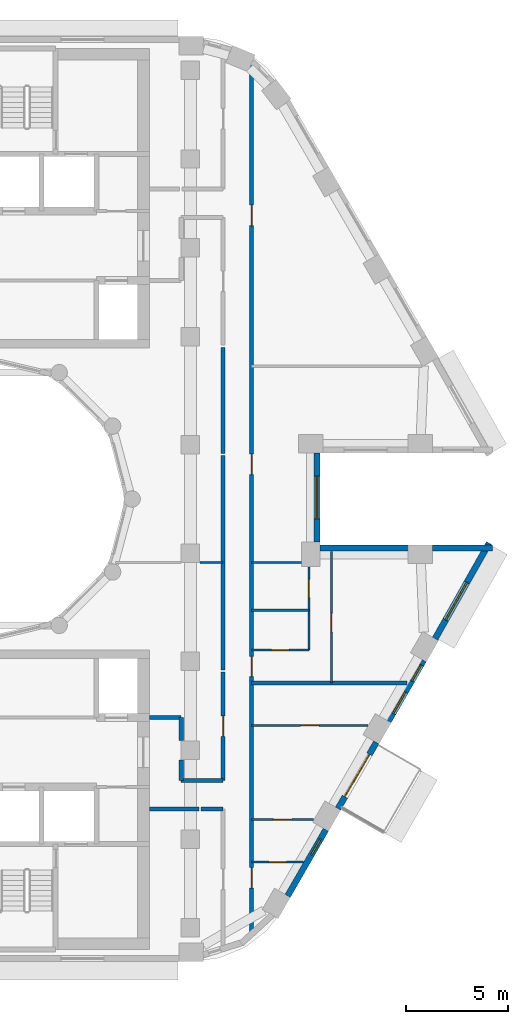
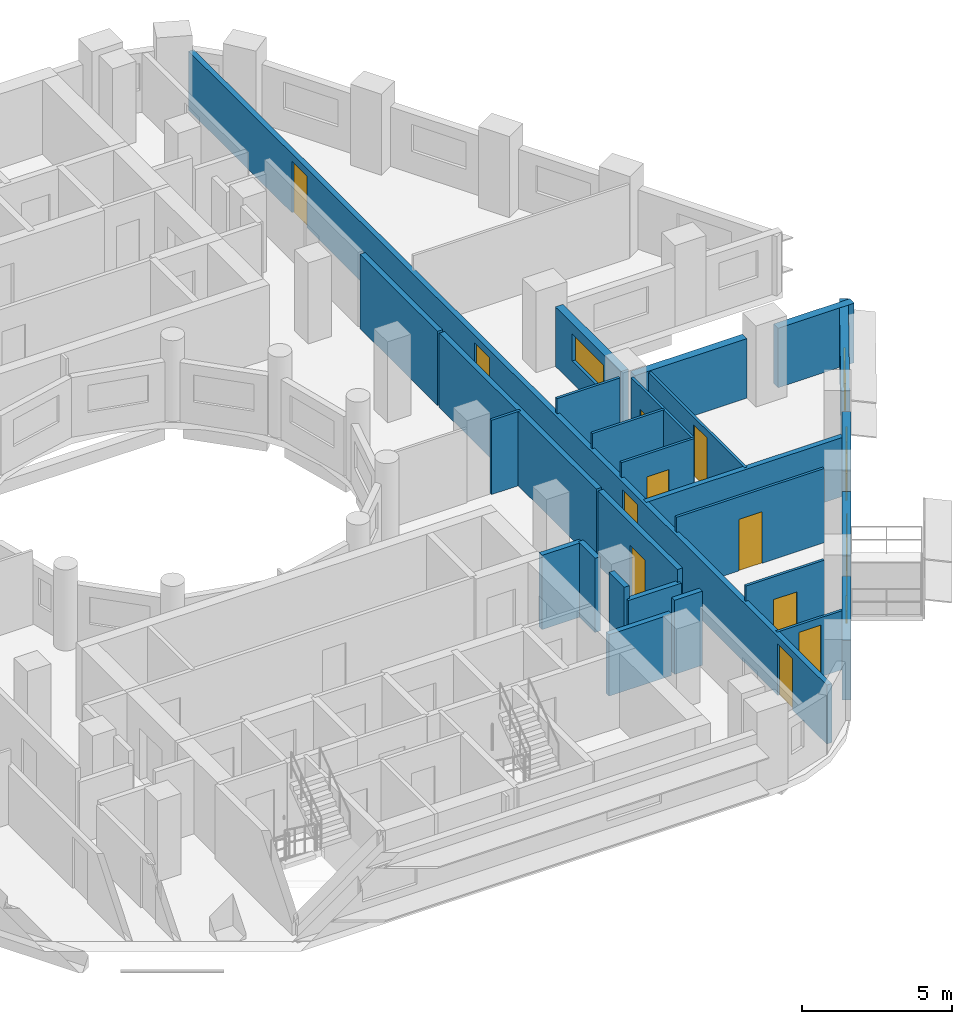
# One storey, part 6 of 15: 27 walls, 12 doors, 5 windows, 17 openings.
"""IFC4 building model written with IfcOpenShell, lengths in metres."""

from ifc_helpers import new_model, si_unit, direction, frame, frame_2d, origin, place, context, subcontext, project, spatial, rectangle, extrude, material, layer, layer_set, type_object, element, fill, save


model = new_model("IFC4")

# Units and contexts
model_context = context("Model", 3, precision=1e-05, world=origin(), true_north=direction((0.0, 1.0)))
body_context = subcontext(model_context, "Body", "Model", "MODEL_VIEW")
ifc_project = project(units=[si_unit("LENGTHUNIT", "METRE"), si_unit("AREAUNIT", "SQUARE_METRE"), si_unit("VOLUMEUNIT", "CUBIC_METRE"), si_unit("PLANEANGLEUNIT", "RADIAN"), si_unit("MASSUNIT", "GRAM", prefix="KILO")], contexts=[model_context])

# Site, building, storey
site_placement = place(None, origin())
site = spatial("IfcSite", under=ifc_project, at=site_placement, CompositionType="ELEMENT")
building_placement = place(site_placement, origin())
building = spatial("IfcBuilding", under=site, at=building_placement, Name="Nakaniwa Court", CompositionType="ELEMENT")
storey_placement = place(building_placement, frame((0.0, 0.0, 213.0)))
storey = spatial("IfcBuildingStorey", under=building, at=storey_placement, Name="L56", CompositionType="ELEMENT", Elevation=213.0)

# Wall, opening, door
ifc_material_1 = material(Name="Acoustic double stud partition")
ifc_layer_1 = layer(ifc_material_1, 0.199951171875)
ifc_layer_set_1 = layer_set([ifc_layer_1], Name="Acoustic double stud partition")
wall_type_1 = type_object("IfcWallType", Name="Acoustic double stud partition 200", PredefinedType="PARTITIONING", material=ifc_layer_set_1)
wall_1_placement = place(storey_placement, frame((91.60009765625, 66.22509765625, 0.0), z_axis=(0.0, 0.0, 1.0), x_axis=(0.0, 1.0, 0.0)))
wall_1 = element("IfcWall", 1, at=wall_1_placement, inside=storey, type_object=wall_type_1, Name="Partition PW-066", PredefinedType="PARTITIONING", context=body_context, shape_type="SweptSolid", body=[
    extrude(rectangle(XDim=5.297607421875, YDim=0.199951171875, at=frame_2d((2.64892578125, 0.0))), origin(), (0.0, 0.0, 1.0), 3.02490234375),
])
opening_1_placement = place(wall_1_placement, frame((2.14794921875, 0.0, 0.0)))
opening_1 = element("IfcOpeningElement", 2, at=opening_1_placement, cuts=wall_1, Name="Opening D-02-02", PredefinedType="OPENING", context=body_context, shape_type="SweptSolid", body=[
    extrude(rectangle(XDim=1.0, YDim=2.10009765625, at=frame_2d((0.5, 1.050048828125))), frame((0.0, 0.10986328125, 0.0), z_axis=(0.0, -1.0, 0.0), x_axis=(1.0, 0.0, 0.0)), (0.0, 0.0, 1.0), 0.219970703125),
])
ifc_material_2 = material(Name="Solid core timber door set, black veneer", Category="wood")
door_type_1 = type_object("IfcDoorType", Name="Internal door 1000", OperationType="NOTDEFINED", PredefinedType="DOOR", material=ifc_material_2)
door_1_placement = place(opening_1_placement, origin())
door_1 = element("IfcDoor", 3, at=door_1_placement, inside=storey, type_object=door_type_1, Name="Door D-02-02 L56-026", OperationType="SINGLE_SWING_LEFT", OverallHeight=2.10009765625, OverallWidth=1.0, PredefinedType="DOOR", context=body_context, shape_type="SweptSolid", body=[
    extrude(rectangle(XDim=1.0, YDim=2.10009765625, at=frame_2d((0.5, 1.050048828125))), frame((0.0, 0.02490234375, 0.0), z_axis=(0.0, -1.0, 0.0), x_axis=(1.0, 0.0, 0.0)), (0.0, 0.0, 1.0), 0.050048828125),
])
fill(opening_1, door_1)

# Walls
wall_2_placement = place(storey_placement, frame((91.60009765625, 71.63720703125, 0.0), z_axis=(0.0, 0.0, 1.0), x_axis=(0.0, 1.0, 0.0)))
element("IfcWall", 4, at=wall_2_placement, inside=storey, type_object=wall_type_1, Name="Partition PW-067", PredefinedType="PARTITIONING", context=body_context, shape_type="SweptSolid", body=[
    extrude(rectangle(XDim=10.485595703125, YDim=0.199951171875, at=frame_2d((5.24267578125, 0.0))), origin(), (0.0, 0.0, 1.0), 3.02490234375),
])
wall_3_placement = place(storey_placement, frame((91.60009765625, 82.2373046875, 0.0), z_axis=(0.0, 0.0, 1.0), x_axis=(0.0, 1.0, 0.0)))
element("IfcWall", 5, at=wall_3_placement, inside=storey, type_object=wall_type_1, Name="Partition PW-068", PredefinedType="PARTITIONING", context=body_context, shape_type="SweptSolid", body=[
    extrude(rectangle(XDim=5.185546875, YDim=0.199951171875, at=frame_2d((2.5927734375, 0.0))), origin(), (0.0, 0.0, 1.0), 3.02490234375),
])
wall_4_placement = place(storey_placement, frame((88.0, 64.824951171875, 0.0), z_axis=(0.0, 0.0, 1.0), x_axis=(1.0, 0.0, 0.0)))
element("IfcWall", 6, at=wall_4_placement, inside=storey, type_object=wall_type_1, Name="Partition PW-073", PredefinedType="PARTITIONING", context=body_context, shape_type="SweptSolid", body=[
    extrude(rectangle(XDim=2.412841796875, YDim=0.199951171875, at=frame_2d((1.20654296875, 0.0))), origin(), (0.0, 0.0, 1.0), 2.5048828125),
])
wall_5_placement = place(storey_placement, frame((90.527099609375, 64.824951171875, 0.0), z_axis=(0.0, 0.0, 1.0), x_axis=(1.0, 0.0, 0.0)))
element("IfcWall", 7, at=wall_5_placement, inside=storey, type_object=wall_type_1, Name="Partition PW-074", PredefinedType="PARTITIONING", context=body_context, shape_type="SweptSolid", body=[
    extrude(rectangle(XDim=1.072998046875, YDim=0.199951171875, at=frame_2d((0.53662109375, 0.0))), origin(), (0.0, 0.0, 1.0), 3.02490234375),
])

# Wall, openings, doors
wall_6_placement = place(storey_placement, frame((93.0, 101.28076171875, 0.0), z_axis=(0.0, 0.0, 1.0), x_axis=(0.0, -1.0, 0.0)))
wall_6 = element("IfcWall", 8, at=wall_6_placement, inside=storey, type_object=wall_type_1, Name="Partition PW-075", PredefinedType="PARTITIONING", context=body_context, shape_type="SweptSolid", body=[
    extrude(rectangle(XDim=42.6064453125, YDim=0.199951171875, at=frame_2d((21.30322265625, 0.0))), origin(), (0.0, 0.0, 1.0), 2.405029296875),
])
opening_2_placement = place(wall_6_placement, frame((39.330078125, 0.0, 0.0)))
opening_2 = element("IfcOpeningElement", 9, at=opening_2_placement, cuts=wall_6, Name="Opening D-01-01", PredefinedType="OPENING", context=body_context, shape_type="SweptSolid", body=[
    extrude(rectangle(XDim=1.0, YDim=2.10009765625, at=frame_2d((0.5, 1.050048828125))), frame((0.0, 0.10986328125, 0.0), z_axis=(0.0, -1.0, 0.0), x_axis=(1.0, 0.0, 0.0)), (0.0, 0.0, 1.0), 0.219970703125),
])
opening_3_placement = place(wall_6_placement, frame((28.97998046875, 0.0, 0.0)))
opening_3 = element("IfcOpeningElement", 10, at=opening_3_placement, cuts=wall_6, Name="Opening D-01-02", PredefinedType="OPENING", context=body_context, shape_type="SweptSolid", body=[
    extrude(rectangle(XDim=1.0, YDim=2.10009765625, at=frame_2d((0.5, 1.050048828125))), frame((0.0, 0.10986328125, 0.0), z_axis=(0.0, -1.0, 0.0), x_axis=(1.0, 0.0, 0.0)), (0.0, 0.0, 1.0), 0.219970703125),
])
opening_4_placement = place(wall_6_placement, frame((6.89306640625, 0.0, 0.0)))
opening_4 = element("IfcOpeningElement", 11, at=opening_4_placement, cuts=wall_6, Name="Opening D-02-04", PredefinedType="OPENING", context=body_context, shape_type="SweptSolid", body=[
    extrude(rectangle(XDim=1.0, YDim=2.10009765625, at=frame_2d((0.5, 1.050048828125))), frame((0.0, 0.10986328125, 0.0), z_axis=(0.0, -1.0, 0.0), x_axis=(1.0, 0.0, 0.0)), (0.0, 0.0, 1.0), 0.219970703125),
])
opening_5_placement = place(wall_6_placement, frame((19.080078125, 0.0, 0.0)))
opening_5 = element("IfcOpeningElement", 12, at=opening_5_placement, cuts=wall_6, Name="Opening D-02-08", PredefinedType="OPENING", context=body_context, shape_type="SweptSolid", body=[
    extrude(rectangle(XDim=1.0, YDim=2.10009765625, at=frame_2d((0.5, 1.050048828125))), frame((0.0, 0.10986328125, 0.0), z_axis=(0.0, -1.0, 0.0), x_axis=(1.0, 0.0, 0.0)), (0.0, 0.0, 1.0), 0.219970703125),
])
door_type_2 = type_object("IfcDoorType", Name="Flat entrance door 1000", OperationType="NOTDEFINED", PredefinedType="DOOR", material=ifc_material_2)
door_2_placement = place(opening_2_placement, origin())
door_2 = element("IfcDoor", 13, at=door_2_placement, inside=storey, type_object=door_type_2, Name="Door D-01-01 L56-022", OperationType="SINGLE_SWING_LEFT", OverallHeight=2.10009765625, OverallWidth=1.0, PredefinedType="DOOR", context=body_context, shape_type="SweptSolid", body=[
    extrude(rectangle(XDim=1.0, YDim=2.10009765625, at=frame_2d((0.5, 1.050048828125))), frame((0.0, 0.02490234375, 0.0), z_axis=(0.0, -1.0, 0.0), x_axis=(1.0, 0.0, 0.0)), (0.0, 0.0, 1.0), 0.050048828125),
])
fill(opening_2, door_2)
door_3_placement = place(opening_3_placement, origin())
door_3 = element("IfcDoor", 14, at=door_3_placement, inside=storey, type_object=door_type_2, Name="Door D-01-02 L56-027", OperationType="SINGLE_SWING_RIGHT", OverallHeight=2.10009765625, OverallWidth=1.0, PredefinedType="DOOR", context=body_context, shape_type="SweptSolid", body=[
    extrude(rectangle(XDim=1.0, YDim=2.10009765625, at=frame_2d((0.5, 1.050048828125))), frame((0.0, 0.02490234375, 0.0), z_axis=(0.0, -1.0, 0.0), x_axis=(1.0, 0.0, 0.0)), (0.0, 0.0, 1.0), 0.050048828125),
])
fill(opening_3, door_3)
door_4_placement = place(opening_4_placement, origin())
door_4 = element("IfcDoor", 15, at=door_4_placement, inside=storey, type_object=door_type_1, Name="Door D-02-04 L56-032", OperationType="SINGLE_SWING_LEFT", OverallHeight=2.10009765625, OverallWidth=1.0, PredefinedType="DOOR", context=body_context, shape_type="SweptSolid", body=[
    extrude(rectangle(XDim=1.0, YDim=2.10009765625, at=frame_2d((0.5, 1.050048828125))), frame((0.0, 0.02490234375, 0.0), z_axis=(0.0, -1.0, 0.0), x_axis=(1.0, 0.0, 0.0)), (0.0, 0.0, 1.0), 0.050048828125),
])
fill(opening_4, door_4)
door_5_placement = place(opening_5_placement, origin())
door_5 = element("IfcDoor", 16, at=door_5_placement, inside=storey, type_object=door_type_1, Name="Door D-02-08 L56-047", OperationType="SINGLE_SWING_RIGHT", OverallHeight=2.10009765625, OverallWidth=1.0, PredefinedType="DOOR", context=body_context, shape_type="SweptSolid", body=[
    extrude(rectangle(XDim=1.0, YDim=2.10009765625, at=frame_2d((0.5, 1.050048828125))), frame((0.0, 0.02490234375, 0.0), z_axis=(0.0, -1.0, 0.0), x_axis=(1.0, 0.0, 0.0)), (0.0, 0.0, 1.0), 0.050048828125),
])
fill(opening_5, door_5)

# Walls
wall_7_placement = place(storey_placement, frame((88.0, 69.300048828125, 0.0), z_axis=(0.0, 0.0, 1.0), x_axis=(1.0, 0.0, 0.0)))
element("IfcWall", 17, at=wall_7_placement, inside=storey, type_object=wall_type_1, Name="Partition PW-077", PredefinedType="PARTITIONING", context=body_context, shape_type="SweptSolid", body=[
    extrude(rectangle(XDim=1.550048828125, YDim=0.199951171875, at=frame_2d((0.77490234375, 0.0))), origin(), (0.0, 0.0, 1.0), 3.02490234375),
])
wall_8_placement = place(storey_placement, frame((89.550048828125, 66.22509765625, 0.0), z_axis=(0.0, 0.0, 1.0), x_axis=(0.0, 1.0, 0.0)))
element("IfcWall", 18, at=wall_8_placement, inside=storey, type_object=wall_type_1, Name="Partition PW-078", PredefinedType="PARTITIONING", context=body_context, shape_type="SweptSolid", body=[
    extrude(rectangle(XDim=1.0078125, YDim=0.199951171875, at=frame_2d((0.50390625, 0.0))), origin(), (0.0, 0.0, 1.0), 3.02490234375),
])
wall_9_placement = place(storey_placement, frame((89.550048828125, 68.167236328125, 0.0), z_axis=(0.0, 0.0, 1.0), x_axis=(0.0, 1.0, 0.0)))
element("IfcWall", 19, at=wall_9_placement, inside=storey, type_object=wall_type_1, Name="Partition PW-079", PredefinedType="PARTITIONING", context=body_context, shape_type="SweptSolid", body=[
    extrude(rectangle(XDim=1.1328125, YDim=0.199951171875, at=frame_2d((0.56640625, 0.0))), origin(), (0.0, 0.0, 1.0), 3.02490234375),
])
wall_10_placement = place(storey_placement, frame((89.550048828125, 66.22509765625, 0.0), z_axis=(0.0, 0.0, 1.0), x_axis=(1.0, 0.0, 0.0)))
element("IfcWall", 20, at=wall_10_placement, inside=storey, type_object=wall_type_1, Name="Partition PW-083", PredefinedType="PARTITIONING", context=body_context, shape_type="SweptSolid", body=[
    extrude(rectangle(XDim=2.050048828125, YDim=0.199951171875, at=frame_2d((1.02490234375, 0.0))), origin(), (0.0, 0.0, 1.0), 2.5048828125),
])
wall_11_placement = place(storey_placement, frame((93.0009765625, 71.0, 0.0), z_axis=(0.0, 0.0, 1.0), x_axis=(1.0, 0.0, 0.0)))
element("IfcWall", 21, at=wall_11_placement, inside=storey, type_object=wall_type_1, Name="Partition PW-110", PredefinedType="PARTITIONING", context=body_context, shape_type="SweptSolid", body=[
    extrude(rectangle(XDim=7.6103515625, YDim=0.199951171875, at=frame_2d((3.80517578125, 0.0))), origin(), (0.0, 0.0, 1.0), 2.405029296875),
])

# Wall, opening, window
ifc_material_3 = material(Name="Charcoal ceramic cladding")
ifc_layer_2 = layer(ifc_material_3, 0.02, Name="Ceramic cladding")
ifc_material_4 = material(Name="Ventilated air cavity")
ifc_layer_3 = layer(ifc_material_4, 0.04, ventilated=True, Name="Ventilated cavity")
ifc_material_5 = material(Name="Mineral wool insulation")
ifc_layer_4 = layer(ifc_material_5, 0.1, Name="Insulation")
ifc_material_6 = material(Name="Cement bonded sheathing board")
ifc_layer_5 = layer(ifc_material_6, 0.012, Name="Sheathing")
ifc_material_7 = material(Name="Cold-formed galvanised stud frame with mineral wool infill")
ifc_layer_6 = layer(ifc_material_7, 0.1, Name="Stud frame")
ifc_material_8 = material(Name="Fire-rated gypsum plasterboard lining")
ifc_layer_7 = layer(ifc_material_8, 0.028, Name="Lining")
ifc_layer_set_2 = layer_set([ifc_layer_2, ifc_layer_3, ifc_layer_4, ifc_layer_5, ifc_layer_6, ifc_layer_7], Name="Charcoal ceramic faced external wall system")
wall_type_2 = type_object("IfcWallType", Name="Black ceramic faced external wall 300", PredefinedType="SOLIDWALL", material=ifc_layer_set_2)
wall_12_placement = place(storey_placement, frame((94.760986328125, 60.566650390625, 0.0), z_axis=(0.0, 0.0, 1.0), x_axis=(0.499982088007, 0.866035745032, 0.0)))
wall_12 = element("IfcWall", 22, at=wall_12_placement, inside=storey, type_object=wall_type_2, Name="L56 external wall 29", PredefinedType="SOLIDWALL", context=body_context, shape_type="SweptSolid", body=[
    extrude(rectangle(XDim=3.744384765625, YDim=0.300048828125, at=frame_2d((1.8720703125, 0.0))), origin(), (0.0, 0.0, 1.0), 2.425048828125),
])
opening_6_placement = place(wall_12_placement, frame((2.318603515625, 0.0, 1.5)))
opening_6 = element("IfcOpeningElement", 23, at=opening_6_placement, cuts=wall_12, Name="Opening W10.32", PredefinedType="OPENING", context=body_context, shape_type="SweptSolid", body=[
    extrude(rectangle(XDim=0.89990234375, YDim=0.5, at=frame_2d((0.449951171875, 0.25))), frame((0.0, 0.159912109375, 0.0), z_axis=(0.0, -1.0, 0.0), x_axis=(1.0, 0.0, 0.0)), (0.0, 0.0, 1.0), 0.320068359375),
])
ifc_material_9 = material(Name="Black anodised aluminium frame with dark low-E laminated double glazing", Category="aluminium")
window_type_1 = type_object("IfcWindowType", Name="Dark glass window 900x500 sill 1500", PartitioningType="SINGLE_PANEL", PredefinedType="WINDOW", material=ifc_material_9)
window_1_placement = place(opening_6_placement, origin())
window_1 = element("IfcWindow", 24, at=window_1_placement, inside=storey, type_object=window_type_1, Name="L56 bathroom window 29-1", OverallHeight=0.5, OverallWidth=0.89990234375, PartitioningType="SINGLE_PANEL", PredefinedType="WINDOW", context=body_context, shape_type="SweptSolid", body=[
    extrude(rectangle(XDim=0.89990234375, YDim=0.5, at=frame_2d((0.449951171875, 0.25))), frame((0.0, 0.030029296875, 0.0), z_axis=(0.0, -1.0, 0.0), x_axis=(1.0, 0.0, 0.0)), (0.0, 0.0, 1.0), 0.06005859375),
])
fill(opening_6, window_1)

# Wall, opening, door
wall_13_placement = place(storey_placement, frame((97.22900390625, 64.841552734375, 0.0), z_axis=(0.0, 0.0, 1.0), x_axis=(0.500059225181, 0.86599120741, 0.0)))
wall_13 = element("IfcWall", 25, at=wall_13_placement, inside=storey, type_object=wall_type_2, Name="L56 external wall 30", PredefinedType="SOLIDWALL", context=body_context, shape_type="SweptSolid", body=[
    extrude(rectangle(XDim=3.744140625, YDim=0.300048828125, at=frame_2d((1.8720703125, 0.0))), origin(), (0.0, 0.0, 1.0), 2.425048828125),
])
opening_7_placement = place(wall_13_placement, frame((0.672119140625, 0.0, 0.0)))
opening_7 = element("IfcOpeningElement", 26, at=opening_7_placement, cuts=wall_13, Name="Opening XD13.02", PredefinedType="OPENING", context=body_context, shape_type="SweptSolid", body=[
    extrude(rectangle(XDim=2.39990234375, YDim=2.0, at=frame_2d((1.199951171875, 1.0))), frame((0.0, 0.159912109375, 0.0), z_axis=(0.0, -1.0, 0.0), x_axis=(1.0, 0.0, 0.0)), (0.0, 0.0, 1.0), 0.320068359375),
])
ifc_material_10 = material(Name="Black powder-coated aluminium frame with dark laminated glass", Category="aluminium")
door_type_3 = type_object("IfcDoorType", Name="Balcony sliding door 2400x2000", OperationType="DOUBLE_DOOR_SLIDING", PredefinedType="DOOR", material=ifc_material_10)
door_6_placement = place(opening_7_placement, origin())
door_6 = element("IfcDoor", 27, at=door_6_placement, inside=storey, type_object=door_type_3, Name="L56 balcony sliding door 02", OperationType="DOUBLE_DOOR_SLIDING", OverallHeight=2.0, OverallWidth=2.39990234375, PredefinedType="DOOR", context=body_context, shape_type="SweptSolid", body=[
    extrude(rectangle(XDim=2.39990234375, YDim=2.0, at=frame_2d((1.199951171875, 1.0))), frame((0.0, 0.02490234375, 0.0), z_axis=(0.0, -1.0, 0.0), x_axis=(1.0, 0.0, 0.0)), (0.0, 0.0, 1.0), 0.050048828125),
])
fill(opening_7, door_6)

# Wall, openings, windows
wall_14_placement = place(storey_placement, frame((99.697265625, 69.116455078125, 0.0), z_axis=(0.0, 0.0, 1.0), x_axis=(0.499955427682, 0.866051136095, 0.0)))
wall_14 = element("IfcWall", 28, at=wall_14_placement, inside=storey, type_object=wall_type_2, Name="L56 external wall 31", PredefinedType="SOLIDWALL", context=body_context, shape_type="SweptSolid", body=[
    extrude(rectangle(XDim=3.447021484375, YDim=0.300048828125, at=frame_2d((1.7236328125, 0.0))), origin(), (0.0, 0.0, 1.0), 2.425048828125),
])
opening_8_placement = place(wall_14_placement, frame((0.450439453125, 0.0, 0.89990234375)))
opening_8 = element("IfcOpeningElement", 29, at=opening_8_placement, cuts=wall_14, Name="Opening W6.33", PredefinedType="OPENING", context=body_context, shape_type="SweptSolid", body=[
    extrude(rectangle(XDim=1.199951171875, YDim=1.10009765625, at=frame_2d((0.60009765625, 0.550048828125))), frame((0.0, 0.159912109375, 0.0), z_axis=(0.0, -1.0, 0.0), x_axis=(1.0, 0.0, 0.0)), (0.0, 0.0, 1.0), 0.320068359375),
])
opening_9_placement = place(wall_14_placement, frame((2.286865234375, 0.0, 0.89990234375)))
opening_9 = element("IfcOpeningElement", 30, at=opening_9_placement, cuts=wall_14, Name="Opening W9.34", PredefinedType="OPENING", context=body_context, shape_type="SweptSolid", body=[
    extrude(rectangle(XDim=0.89990234375, YDim=1.10009765625, at=frame_2d((0.449951171875, 0.550048828125))), frame((0.0, 0.159912109375, 0.0), z_axis=(0.0, -1.0, 0.0), x_axis=(1.0, 0.0, 0.0)), (0.0, 0.0, 1.0), 0.320068359375),
])
window_type_2 = type_object("IfcWindowType", Name="Dark glass window 1200x1100 sill 900", PartitioningType="SINGLE_PANEL", PredefinedType="WINDOW", material=ifc_material_9)
window_2_placement = place(opening_8_placement, origin())
window_2 = element("IfcWindow", 31, at=window_2_placement, inside=storey, type_object=window_type_2, Name="L56 habitable room window 31-0", OverallHeight=1.10009765625, OverallWidth=1.199951171875, PartitioningType="SINGLE_PANEL", PredefinedType="WINDOW", context=body_context, shape_type="SweptSolid", body=[
    extrude(rectangle(XDim=1.199951171875, YDim=1.10009765625, at=frame_2d((0.60009765625, 0.550048828125))), frame((0.0, 0.030029296875, 0.0), z_axis=(0.0, -1.0, 0.0), x_axis=(1.0, 0.0, 0.0)), (0.0, 0.0, 1.0), 0.06005859375),
])
fill(opening_8, window_2)
window_type_3 = type_object("IfcWindowType", Name="Dark glass window 900x1100 sill 900", PartitioningType="SINGLE_PANEL", PredefinedType="WINDOW", material=ifc_material_9)
window_3_placement = place(opening_9_placement, origin())
window_3 = element("IfcWindow", 32, at=window_3_placement, inside=storey, type_object=window_type_3, Name="L56 living window 31-1", OverallHeight=1.10009765625, OverallWidth=0.89990234375, PartitioningType="SINGLE_PANEL", PredefinedType="WINDOW", context=body_context, shape_type="SweptSolid", body=[
    extrude(rectangle(XDim=0.89990234375, YDim=1.10009765625, at=frame_2d((0.449951171875, 0.550048828125))), frame((0.0, 0.030029296875, 0.0), z_axis=(0.0, -1.0, 0.0), x_axis=(1.0, 0.0, 0.0)), (0.0, 0.0, 1.0), 0.06005859375),
])
fill(opening_9, window_3)

# Wall, opening, window
wall_15_placement = place(storey_placement, frame((101.976806640625, 73.156982421875, 0.0), z_axis=(0.0, 0.0, 1.0), x_axis=(0.492033360928, 0.870576344575, 0.0)))
wall_15 = element("IfcWall", 33, at=wall_15_placement, inside=storey, type_object=wall_type_2, Name="L56 external wall 32", PredefinedType="SOLIDWALL", context=body_context, shape_type="SweptSolid", body=[
    extrude(rectangle(XDim=5.38671875, YDim=0.300048828125, at=frame_2d((2.693359375, 0.0))), origin(), (0.0, 0.0, 1.0), 2.425048828125),
])
opening_10_placement = place(wall_15_placement, frame((1.064453125, 0.0, 0.89990234375)))
opening_10 = element("IfcOpeningElement", 34, at=opening_10_placement, cuts=wall_15, Name="Opening W7.35", PredefinedType="OPENING", context=body_context, shape_type="SweptSolid", body=[
    extrude(rectangle(XDim=2.10009765625, YDim=1.10009765625, at=frame_2d((1.050048828125, 0.550048828125))), frame((0.0, 0.159912109375, 0.0), z_axis=(0.0, -1.0, 0.0), x_axis=(1.0, 0.0, 0.0)), (0.0, 0.0, 1.0), 0.320068359375),
])
window_type_4 = type_object("IfcWindowType", Name="Dark glass window 2100x1100 sill 900", PartitioningType="SINGLE_PANEL", PredefinedType="WINDOW", material=ifc_material_9)
window_4_placement = place(opening_10_placement, origin())
window_4 = element("IfcWindow", 35, at=window_4_placement, inside=storey, type_object=window_type_4, Name="L56 living window 32-0", OverallHeight=1.10009765625, OverallWidth=2.10009765625, PartitioningType="SINGLE_PANEL", PredefinedType="WINDOW", context=body_context, shape_type="SweptSolid", body=[
    extrude(rectangle(XDim=2.10009765625, YDim=1.10009765625, at=frame_2d((1.050048828125, 0.550048828125))), frame((0.0, 0.030029296875, 0.0), z_axis=(0.0, -1.0, 0.0), x_axis=(1.0, 0.0, 0.0)), (0.0, 0.0, 1.0), 0.06005859375),
])
fill(opening_10, window_4)

# Walls
wall_16_placement = place(storey_placement, frame((104.7978515625, 77.60009765625, 0.0), z_axis=(0.0, 0.0, 1.0), x_axis=(-1.0, 0.0, 0.0)))
element("IfcWall", 36, at=wall_16_placement, inside=storey, type_object=wall_type_2, Name="L56 external wall 33", PredefinedType="SOLIDWALL", context=body_context, shape_type="SweptSolid", body=[
    extrude(rectangle(XDim=2.937744140625, YDim=0.300048828125, at=frame_2d((1.46875, 0.0))), origin(), (0.0, 0.0, 1.0), 2.425048828125),
])
wall_17_placement = place(storey_placement, frame((100.66796875, 77.60009765625, 0.0), z_axis=(0.0, 0.0, 1.0), x_axis=(-1.0, 0.0, 0.0)))
element("IfcWall", 37, at=wall_17_placement, inside=storey, type_object=wall_type_2, Name="L56 external wall 34", PredefinedType="SOLIDWALL", context=body_context, shape_type="SweptSolid", body=[
    extrude(rectangle(XDim=4.322509765625, YDim=0.300048828125, at=frame_2d((2.1611328125, 0.0))), origin(), (0.0, 0.0, 1.0), 2.425048828125),
])

# Wall, opening, window
wall_18_placement = place(storey_placement, frame((96.199462890625, 77.89599609375, 0.0), z_axis=(0.0, 0.0, 1.0), x_axis=(0.0, 1.0, 0.0)))
wall_18 = element("IfcWall", 38, at=wall_18_placement, inside=storey, type_object=wall_type_2, Name="L56 external wall 35", PredefinedType="SOLIDWALL", context=body_context, shape_type="SweptSolid", body=[
    extrude(rectangle(XDim=4.35791015625, YDim=0.300048828125, at=frame_2d((2.178955078125, 0.0))), origin(), (0.0, 0.0, 1.0), 2.425048828125),
])
opening_11_placement = place(wall_18_placement, frame((1.12890625, 0.0, 0.89990234375)))
opening_11 = element("IfcOpeningElement", 39, at=opening_11_placement, cuts=wall_18, Name="Opening W7.36", PredefinedType="OPENING", context=body_context, shape_type="SweptSolid", body=[
    extrude(rectangle(XDim=2.10009765625, YDim=1.10009765625, at=frame_2d((1.050048828125, 0.550048828125))), frame((0.0, 0.159912109375, 0.0), z_axis=(0.0, -1.0, 0.0), x_axis=(1.0, 0.0, 0.0)), (0.0, 0.0, 1.0), 0.320068359375),
])
window_5_placement = place(opening_11_placement, origin())
window_5 = element("IfcWindow", 40, at=window_5_placement, inside=storey, type_object=window_type_4, Name="L56 habitable room window 35-0", OverallHeight=1.10009765625, OverallWidth=2.10009765625, PartitioningType="SINGLE_PANEL", PredefinedType="WINDOW", context=body_context, shape_type="SweptSolid", body=[
    extrude(rectangle(XDim=2.10009765625, YDim=1.10009765625, at=frame_2d((1.050048828125, 0.550048828125))), frame((0.0, 0.030029296875, 0.0), z_axis=(0.0, -1.0, 0.0), x_axis=(1.0, 0.0, 0.0)), (0.0, 0.0, 1.0), 0.06005859375),
])
fill(opening_11, window_5)

# Wall, opening, door
ifc_material_11 = material(Name="Single stud plasterboard partition")
ifc_layer_8 = layer(ifc_material_11, 0.10009765625)
ifc_layer_set_3 = layer_set([ifc_layer_8], Name="Single stud plasterboard partition")
wall_type_3 = type_object("IfcWallType", Name="Single stud plasterboard partition 100", PredefinedType="PARTITIONING", material=ifc_layer_set_3)
wall_19_placement = place(storey_placement, frame((93.0009765625, 62.22509765625, 0.0), z_axis=(0.0, 0.0, 1.0), x_axis=(1.0, 0.0, 0.0)))
wall_19 = element("IfcWall", 41, at=wall_19_placement, inside=storey, type_object=wall_type_3, Name="Partition PW-107", PredefinedType="PARTITIONING", context=body_context, shape_type="SweptSolid", body=[
    extrude(rectangle(XDim=2.544189453125, YDim=0.10009765625, at=frame_2d((1.27197265625, 0.0))), origin(), (0.0, 0.0, 1.0), 2.405029296875),
])
opening_12_placement = place(wall_19_placement, frame((0.846923828125, 0.0, 0.0)))
opening_12 = element("IfcOpeningElement", 42, at=opening_12_placement, cuts=wall_19, Name="Opening D-03-01", PredefinedType="OPENING", context=body_context, shape_type="SweptSolid", body=[
    extrude(rectangle(XDim=0.85009765625, YDim=2.10009765625, at=frame_2d((0.425048828125, 1.050048828125))), frame((0.0, 0.06005859375, 0.0), z_axis=(0.0, -1.0, 0.0), x_axis=(1.0, 0.0, 0.0)), (0.0, 0.0, 1.0), 0.1201171875),
])
ifc_material_12 = material(Name="Moisture sealed timber door set", Category="wood")
door_type_4 = type_object("IfcDoorType", Name="Bathroom door 850", OperationType="NOTDEFINED", PredefinedType="DOOR", material=ifc_material_12)
door_7_placement = place(opening_12_placement, origin())
door_7 = element("IfcDoor", 43, at=door_7_placement, inside=storey, type_object=door_type_4, Name="Door D-03-01 L56-023", OperationType="SINGLE_SWING_RIGHT", OverallHeight=2.10009765625, OverallWidth=0.85009765625, PredefinedType="DOOR", context=body_context, shape_type="SweptSolid", body=[
    extrude(rectangle(XDim=0.85009765625, YDim=2.10009765625, at=frame_2d((0.425048828125, 1.050048828125))), frame((0.0, 0.02490234375, 0.0), z_axis=(0.0, -1.0, 0.0), x_axis=(1.0, 0.0, 0.0)), (0.0, 0.0, 1.0), 0.050048828125),
])
fill(opening_12, door_7)

wall_20_placement = place(storey_placement, frame((93.0009765625, 64.302978515625, 0.0), z_axis=(0.0, 0.0, 1.0), x_axis=(1.0, 0.0, 0.0)))
wall_20 = element("IfcWall", 44, at=wall_20_placement, inside=storey, type_object=wall_type_3, Name="Partition PW-108", PredefinedType="PARTITIONING", context=body_context, shape_type="SweptSolid", body=[
    extrude(rectangle(XDim=3.0283203125, YDim=0.10009765625, at=frame_2d((1.51416015625, 0.0))), origin(), (0.0, 0.0, 1.0), 3.02490234375),
])
opening_13_placement = place(wall_20_placement, frame((1.06396484375, 0.0, 0.0)))
opening_13 = element("IfcOpeningElement", 45, at=opening_13_placement, cuts=wall_20, Name="Opening D-33-01", PredefinedType="OPENING", context=body_context, shape_type="SweptSolid", body=[
    extrude(rectangle(XDim=0.89990234375, YDim=2.10009765625, at=frame_2d((0.449951171875, 1.050048828125))), frame((0.0, 0.06005859375, 0.0), z_axis=(0.0, -1.0, 0.0), x_axis=(1.0, 0.0, 0.0)), (0.0, 0.0, 1.0), 0.1201171875),
])
door_type_5 = type_object("IfcDoorType", Name="Internal door 900", OperationType="NOTDEFINED", PredefinedType="DOOR", material=ifc_material_2)
door_8_placement = place(opening_13_placement, origin())
door_8 = element("IfcDoor", 46, at=door_8_placement, inside=storey, type_object=door_type_5, Name="Door D-33-01 L56-024", OperationType="SINGLE_SWING_LEFT", OverallHeight=2.10009765625, OverallWidth=0.89990234375, PredefinedType="DOOR", context=body_context, shape_type="SweptSolid", body=[
    extrude(rectangle(XDim=0.89990234375, YDim=2.10009765625, at=frame_2d((0.449951171875, 1.050048828125))), frame((0.0, 0.02490234375, 0.0), z_axis=(0.0, -1.0, 0.0), x_axis=(1.0, 0.0, 0.0)), (0.0, 0.0, 1.0), 0.050048828125),
])
fill(opening_13, door_8)

wall_21_placement = place(storey_placement, frame((93.0009765625, 68.922119140625, 0.0), z_axis=(0.0, 0.0, 1.0), x_axis=(1.0, 0.0, 0.0)))
wall_21 = element("IfcWall", 47, at=wall_21_placement, inside=storey, type_object=wall_type_3, Name="Partition PW-109", PredefinedType="PARTITIONING", context=body_context, shape_type="SweptSolid", body=[
    extrude(rectangle(XDim=5.694580078125, YDim=0.10009765625, at=frame_2d((2.84716796875, 0.0))), origin(), (0.0, 0.0, 1.0), 3.02490234375),
])
opening_14_placement = place(wall_21_placement, frame((2.39697265625, 0.0, 0.0)))
opening_14 = element("IfcOpeningElement", 48, at=opening_14_placement, cuts=wall_21, Name="Opening D-33-02", PredefinedType="OPENING", context=body_context, shape_type="SweptSolid", body=[
    extrude(rectangle(XDim=0.89990234375, YDim=2.10009765625, at=frame_2d((0.449951171875, 1.050048828125))), frame((0.0, 0.06005859375, 0.0), z_axis=(0.0, -1.0, 0.0), x_axis=(1.0, 0.0, 0.0)), (0.0, 0.0, 1.0), 0.1201171875),
])
door_9_placement = place(opening_14_placement, origin())
door_9 = element("IfcDoor", 49, at=door_9_placement, inside=storey, type_object=door_type_5, Name="Door D-33-02 L56-025", OperationType="SINGLE_SWING_RIGHT", OverallHeight=2.10009765625, OverallWidth=0.89990234375, PredefinedType="DOOR", context=body_context, shape_type="SweptSolid", body=[
    extrude(rectangle(XDim=0.89990234375, YDim=2.10009765625, at=frame_2d((0.449951171875, 1.050048828125))), frame((0.0, 0.02490234375, 0.0), z_axis=(0.0, -1.0, 0.0), x_axis=(1.0, 0.0, 0.0)), (0.0, 0.0, 1.0), 0.050048828125),
])
fill(opening_14, door_9)

# Walls
wall_22_placement = place(storey_placement, frame((90.469970703125, 76.89990234375, 0.0), z_axis=(0.0, 0.0, 1.0), x_axis=(1.0, 0.0, 0.0)))
element("IfcWall", 50, at=wall_22_placement, inside=storey, type_object=wall_type_3, Name="Partition PW-112", PredefinedType="PARTITIONING", context=body_context, shape_type="SweptSolid", body=[
    extrude(rectangle(XDim=1.129150390625, YDim=0.10009765625, at=frame_2d((0.564453125, 0.0))), origin(), (0.0, 0.0, 1.0), 3.02490234375),
])
wall_23_placement = place(storey_placement, frame((93.0009765625, 76.89990234375, 0.0), z_axis=(0.0, 0.0, 1.0), x_axis=(1.0, 0.0, 0.0)))
element("IfcWall", 51, at=wall_23_placement, inside=storey, type_object=wall_type_3, Name="Partition PW-113", PredefinedType="PARTITIONING", context=body_context, shape_type="SweptSolid", body=[
    extrude(rectangle(XDim=2.428466796875, YDim=0.10009765625, at=frame_2d((1.21435546875, 0.0))), origin(), (0.0, 0.0, 1.0), 3.02490234375),
])
wall_24_placement = place(storey_placement, frame((93.0009765625, 74.554931640625, 0.0), z_axis=(0.0, 0.0, 1.0), x_axis=(1.0, 0.0, 0.0)))
element("IfcWall", 52, at=wall_24_placement, inside=storey, type_object=wall_type_3, Name="Partition PW-114", PredefinedType="PARTITIONING", context=body_context, shape_type="SweptSolid", body=[
    extrude(rectangle(XDim=2.800048828125, YDim=0.10009765625, at=frame_2d((1.39990234375, 0.0))), origin(), (0.0, 0.0, 1.0), 3.02490234375),
])

# Wall, opening, door
wall_25_placement = place(storey_placement, frame((95.801025390625, 72.60009765625, 0.0), z_axis=(0.0, 0.0, 1.0), x_axis=(0.0, 1.0, 0.0)))
wall_25 = element("IfcWall", 53, at=wall_25_placement, inside=storey, type_object=wall_type_3, Name="Partition PW-115", PredefinedType="PARTITIONING", context=body_context, shape_type="SweptSolid", body=[
    extrude(rectangle(XDim=4.079833984375, YDim=0.10009765625, at=frame_2d((2.0400390625, 0.0))), origin(), (0.0, 0.0, 1.0), 3.02490234375),
])
opening_15_placement = place(wall_25_placement, frame((2.56689453125, 0.0, 0.0)))
opening_15 = element("IfcOpeningElement", 54, at=opening_15_placement, cuts=wall_25, Name="Opening D-33-03", PredefinedType="OPENING", context=body_context, shape_type="SweptSolid", body=[
    extrude(rectangle(XDim=0.89990234375, YDim=2.10009765625, at=frame_2d((0.449951171875, 1.050048828125))), frame((0.0, 0.06005859375, 0.0), z_axis=(0.0, -1.0, 0.0), x_axis=(1.0, 0.0, 0.0)), (0.0, 0.0, 1.0), 0.1201171875),
])
door_10_placement = place(opening_15_placement, origin())
door_10 = element("IfcDoor", 55, at=door_10_placement, inside=storey, type_object=door_type_5, Name="Door D-33-03 L56-029", OperationType="SINGLE_SWING_RIGHT", OverallHeight=2.10009765625, OverallWidth=0.89990234375, PredefinedType="DOOR", context=body_context, shape_type="SweptSolid", body=[
    extrude(rectangle(XDim=0.89990234375, YDim=2.10009765625, at=frame_2d((0.449951171875, 1.050048828125))), frame((0.0, 0.02490234375, 0.0), z_axis=(0.0, -1.0, 0.0), x_axis=(1.0, 0.0, 0.0)), (0.0, 0.0, 1.0), 0.050048828125),
])
fill(opening_15, door_10)

wall_26_placement = place(storey_placement, frame((93.0009765625, 72.60009765625, 0.0), z_axis=(0.0, 0.0, 1.0), x_axis=(1.0, 0.0, 0.0)))
wall_26 = element("IfcWall", 56, at=wall_26_placement, inside=storey, type_object=wall_type_3, Name="Partition PW-116", PredefinedType="PARTITIONING", context=body_context, shape_type="SweptSolid", body=[
    extrude(rectangle(XDim=2.800048828125, YDim=0.10009765625, at=frame_2d((1.39990234375, 0.0))), origin(), (0.0, 0.0, 1.0), 3.02490234375),
])
opening_16_placement = place(wall_26_placement, frame((0.97509765625, 0.0, 0.0)))
opening_16 = element("IfcOpeningElement", 57, at=opening_16_placement, cuts=wall_26, Name="Opening D-03-02", PredefinedType="OPENING", context=body_context, shape_type="SweptSolid", body=[
    extrude(rectangle(XDim=0.85009765625, YDim=2.10009765625, at=frame_2d((0.425048828125, 1.050048828125))), frame((0.0, 0.06005859375, 0.0), z_axis=(0.0, -1.0, 0.0), x_axis=(1.0, 0.0, 0.0)), (0.0, 0.0, 1.0), 0.1201171875),
])
door_11_placement = place(opening_16_placement, origin())
door_11 = element("IfcDoor", 58, at=door_11_placement, inside=storey, type_object=door_type_4, Name="Door D-03-02 L56-028", OperationType="SINGLE_SWING_LEFT", OverallHeight=2.10009765625, OverallWidth=0.85009765625, PredefinedType="DOOR", context=body_context, shape_type="SweptSolid", body=[
    extrude(rectangle(XDim=0.85009765625, YDim=2.10009765625, at=frame_2d((0.425048828125, 1.050048828125))), frame((0.0, 0.02490234375, 0.0), z_axis=(0.0, -1.0, 0.0), x_axis=(1.0, 0.0, 0.0)), (0.0, 0.0, 1.0), 0.050048828125),
])
fill(opening_16, door_11)

wall_27_placement = place(storey_placement, frame((96.90087890625, 77.419921875, 0.0), z_axis=(0.0, 0.0, 1.0), x_axis=(0.0, -1.0, 0.0)))
wall_27 = element("IfcWall", 59, at=wall_27_placement, inside=storey, type_object=wall_type_3, Name="Partition PW-117", PredefinedType="PARTITIONING", context=body_context, shape_type="SweptSolid", body=[
    extrude(rectangle(XDim=6.419921875, YDim=0.10009765625, at=frame_2d((3.2099609375, 0.0))), origin(), (0.0, 0.0, 1.0), 2.405029296875),
])
opening_17_placement = place(wall_27_placement, frame((3.02001953125, 0.0, 0.0)))
opening_17 = element("IfcOpeningElement", 60, at=opening_17_placement, cuts=wall_27, Name="Opening D-33-04", PredefinedType="OPENING", context=body_context, shape_type="SweptSolid", body=[
    extrude(rectangle(XDim=0.89990234375, YDim=2.10009765625, at=frame_2d((0.449951171875, 1.050048828125))), frame((0.0, 0.06005859375, 0.0), z_axis=(0.0, -1.0, 0.0), x_axis=(1.0, 0.0, 0.0)), (0.0, 0.0, 1.0), 0.1201171875),
])
door_12_placement = place(opening_17_placement, origin())
door_12 = element("IfcDoor", 61, at=door_12_placement, inside=storey, type_object=door_type_5, Name="Door D-33-04 L56-030", OperationType="SINGLE_SWING_LEFT", OverallHeight=2.10009765625, OverallWidth=0.89990234375, PredefinedType="DOOR", context=body_context, shape_type="SweptSolid", body=[
    extrude(rectangle(XDim=0.89990234375, YDim=2.10009765625, at=frame_2d((0.449951171875, 1.050048828125))), frame((0.0, 0.02490234375, 0.0), z_axis=(0.0, -1.0, 0.0), x_axis=(1.0, 0.0, 0.0)), (0.0, 0.0, 1.0), 0.050048828125),
])
fill(opening_17, door_12)

save(model, "model.ifc")
